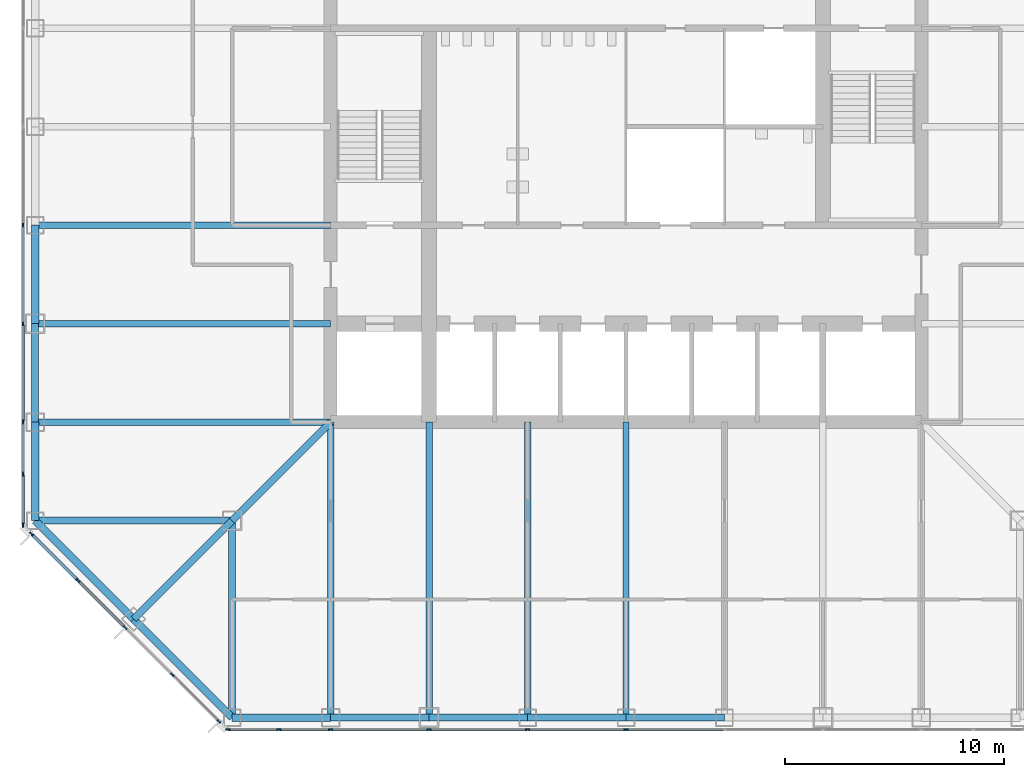
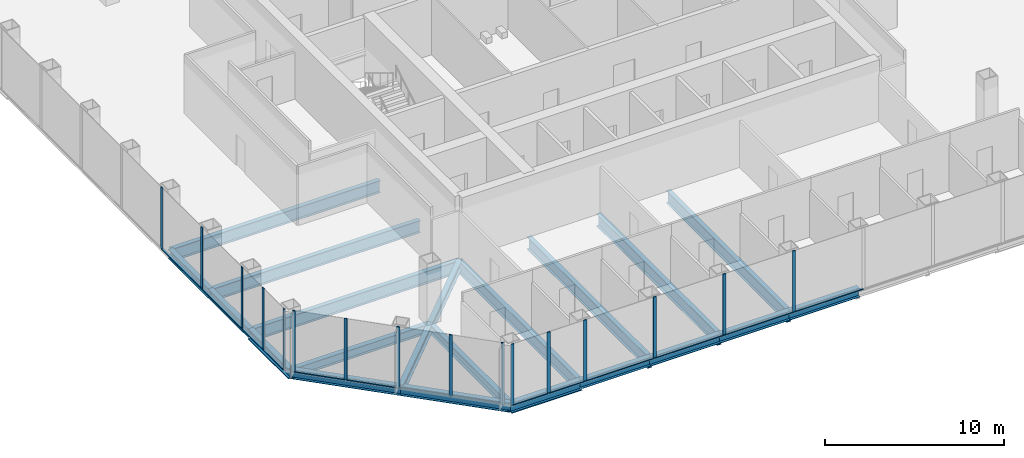
# One storey, part 2 of 13: 28 members, 21 beams, 3 elements without a shape of their own.
"""IFC4 building model written with IfcOpenShell, lengths in metres."""

from ifc_helpers import new_model, si_unit, direction, frame, origin, origin_2d, place, context, subcontext, project, spatial, rectangle, i_section, extrude, material, material_profile, profile_set, type_object, element, aggregate, save


model = new_model("IFC4")

# Units and contexts
model_context = context("Model", 3, precision=1e-05, world=origin(), true_north=direction((0.0, 1.0)))
body_context = subcontext(model_context, "Body", "Model", "MODEL_VIEW")
ifc_project = project(units=[si_unit("LENGTHUNIT", "METRE"), si_unit("AREAUNIT", "SQUARE_METRE"), si_unit("VOLUMEUNIT", "CUBIC_METRE"), si_unit("PLANEANGLEUNIT", "RADIAN"), si_unit("MASSUNIT", "GRAM", prefix="KILO")], contexts=[model_context])

# Site, building, storey
site_placement = place(None, origin())
site = spatial("IfcSite", under=ifc_project, at=site_placement, CompositionType="ELEMENT")
building_placement = place(site_placement, origin())
building = spatial("IfcBuilding", under=site, at=building_placement, Name="Corais Broadcast Tower", CompositionType="ELEMENT")
storey_placement = place(building_placement, frame((0.0, 0.0, 79.39990234375)))
storey = spatial("IfcBuildingStorey", under=building, at=storey_placement, Name="L17", CompositionType="ELEMENT", Elevation=79.39990234375)

# Beams
ifc_material_1 = material(Name="Steel ASTM A572 Grade 50", Category="steel")
ifc_material_profile_1 = material_profile(ifc_material_1, i_section(OverallWidth=0.323974609375, OverallDepth=0.611083984375, WebThickness=0.0126953125, FlangeThickness=0.01904296875, at=origin_2d()), Name="W610x155")
ifc_profile_set_1 = profile_set([ifc_material_profile_1], Name="Steel ASTM A572 Grade 50")
beam_type_1 = type_object("IfcBeamType", Name="Chamfer tie W610x155", PredefinedType="BEAM", material=ifc_profile_set_1)
beam_1_placement = place(storey_placement, frame((4.5, 4.5, -0.46533203125), z_axis=(0.707106781187, 0.707106781187, 0.0), x_axis=(-0.707106781187, 0.707106781187, 0.0)))
element("IfcBeam", 1, at=beam_1_placement, inside=storey, type_object=beam_type_1, Name="B5 B/4 to C/5", PredefinedType="BEAM", context=body_context, shape_type="SweptSolid", body=[
    extrude(i_section(OverallWidth=0.323974609375, OverallDepth=0.611083984375, WebThickness=0.0126953125, FlangeThickness=0.01904296875, at=origin_2d()), origin(), (0.0, 0.0, 1.0), 6.364013671875),
])
ifc_material_2 = material(Name="Steel ASTM A572 Grade 50", Category="steel")
ifc_material_profile_2 = material_profile(ifc_material_2, i_section(OverallWidth=0.323974609375, OverallDepth=0.611083984375, WebThickness=0.0126953125, FlangeThickness=0.01904296875, at=origin_2d()), Name="W610x155")
ifc_profile_set_2 = profile_set([ifc_material_profile_2], Name="Steel ASTM A572 Grade 50")
beam_type_2 = type_object("IfcBeamType", Name="Corner diagonal W610x155", PredefinedType="BEAM", material=ifc_profile_set_2)
beam_2_placement = place(storey_placement, frame((9.0, 9.0, -0.46533203125), z_axis=(0.707106781187, 0.707106781187, 0.0), x_axis=(-0.707106781187, 0.707106781187, 0.0)))
element("IfcBeam", 2, at=beam_2_placement, inside=storey, type_object=beam_type_2, Name="B6 C/5 to D/6", PredefinedType="BEAM", context=body_context, shape_type="SweptSolid", body=[
    extrude(i_section(OverallWidth=0.323974609375, OverallDepth=0.611083984375, WebThickness=0.0126953125, FlangeThickness=0.01904296875, at=origin_2d()), origin(), (0.0, 0.0, 1.0), 6.364013671875),
])
ifc_material_3 = material(Name="Steel ASTM A572 Grade 50", Category="steel")
ifc_material_profile_3 = material_profile(ifc_material_3, i_section(OverallWidth=0.323974609375, OverallDepth=0.611083984375, WebThickness=0.0126953125, FlangeThickness=0.01904296875, at=origin_2d()), Name="W610x155")
ifc_profile_set_3 = profile_set([ifc_material_profile_3], Name="Steel ASTM A572 Grade 50")
beam_type_3 = type_object("IfcBeamType", Name="Corner girder W610x155", PredefinedType="BEAM", material=ifc_profile_set_3)
for number, where, z_axis, x_axis, name in (
    (3, (0.0, 9.0, -0.46533203125), (1.0, 0.0, 0.0), (0.0, 1.0, 0.0), "B4 C/3 to C/5"),
    (4, (9.0, 0.0, -0.46533203125), (0.0, 1.0, 0.0), (-1.0, 0.0, 0.0), "B4 A/5 to C/5"),
):
    element("IfcBeam", number, at=place(storey_placement, frame(where, z_axis=z_axis, x_axis=x_axis)), inside=storey, type_object=beam_type_3, Name=name, PredefinedType="BEAM", context=body_context, shape_type="SweptSolid", body=[
        extrude(i_section(OverallWidth=0.323974609375, OverallDepth=0.611083984375, WebThickness=0.0126953125, FlangeThickness=0.01904296875, at=origin_2d()), origin(), (0.0, 0.0, 1.0), 9.0),
    ])
ifc_material_4 = material(Name="Steel ASTM A913 Grade 65", Category="steel")
ifc_material_profile_4 = material_profile(ifc_material_4, i_section(OverallWidth=0.347900390625, OverallDepth=0.7109375, WebThickness=0.03857421875, FlangeThickness=0.069091796875, at=origin_2d()), Name="W610x551")
ifc_profile_set_4 = profile_set([ifc_material_profile_4], Name="Steel ASTM A913 Grade 65")
beam_type_4 = type_object("IfcBeamType", Name="Corner spandrel W610x551", PredefinedType="BEAM", material=ifc_profile_set_4)
for number, where, z_axis, x_axis, name in (
    (5, (0.0, 13.5, -0.515380859375), (0.0, -1.0, 0.0), (1.0, 0.0, 0.0), "SB11 D/3 to C/3"),
    (6, (9.0, 0.0, -0.515380859375), (1.0, 0.0, 0.0), (0.0, 1.0, 0.0), "SB11 A/5 to A/6"),
):
    element("IfcBeam", number, at=place(storey_placement, frame(where, z_axis=z_axis, x_axis=x_axis)), inside=storey, type_object=beam_type_4, Name=name, PredefinedType="BEAM", context=body_context, shape_type="SweptSolid", body=[
        extrude(i_section(OverallWidth=0.347900390625, OverallDepth=0.7109375, WebThickness=0.03857421875, FlangeThickness=0.069091796875, at=origin_2d()), origin(), (0.0, 0.0, 1.0), 4.5),
    ])
ifc_material_5 = material(Name="Steel ASTM A572 Grade 50", Category="steel")
ifc_material_profile_5 = material_profile(ifc_material_5, i_section(OverallWidth=0.2939453125, OverallDepth=0.85107421875, WebThickness=0.01611328125, FlangeThickness=0.02685546875, at=origin_2d()), Name="W840x226")
ifc_profile_set_5 = profile_set([ifc_material_profile_5], Name="Steel ASTM A572 Grade 50")
beam_type_5 = type_object("IfcBeamType", Name="Floor beam W840x226", PredefinedType="BEAM", material=ifc_profile_set_5)
for number, where, z_axis, x_axis, name in (
    (7, (0.0, 13.5, -0.58544921875), (1.0, 0.0, 0.0), (0.0, 1.0, 0.0), "B1 D/3 to D/6"),
    (8, (0.0, 18.0, -0.58544921875), (1.0, 0.0, 0.0), (0.0, 1.0, 0.0), "B1 E/3 to E/6"),
    (9, (0.0, 22.5, -0.58544921875), (1.0, 0.0, 0.0), (0.0, 1.0, 0.0), "B1 F/3 to F/6"),
    (10, (13.5, 0.0, -0.58544921875), (0.0, 1.0, 0.0), (-1.0, 0.0, 0.0), "B1 A/6 to D/6"),
    (11, (18.0, 0.0, -0.58544921875), (0.0, 1.0, 0.0), (-1.0, 0.0, 0.0), "B1 A/7 to D/7"),
    (12, (22.5, 0.0, -0.58544921875), (0.0, 1.0, 0.0), (-1.0, 0.0, 0.0), "B1 A/8 to D/8"),
    (13, (27.0, 0.0, -0.58544921875), (0.0, 1.0, 0.0), (-1.0, 0.0, 0.0), "B1 A/9 to D/9"),
):
    element("IfcBeam", number, at=place(storey_placement, frame(where, z_axis=z_axis, x_axis=x_axis)), inside=storey, type_object=beam_type_5, Name=name, PredefinedType="BEAM", context=body_context, shape_type="SweptSolid", body=[
        extrude(i_section(OverallWidth=0.2939453125, OverallDepth=0.85107421875, WebThickness=0.01611328125, FlangeThickness=0.02685546875, at=origin_2d()), origin(), (0.0, 0.0, 1.0), 13.5),
    ])

# Curtain wall, members
ifc_material_6 = material(Name="Aluminium and glass", Category="aluminium")
curtain_wall_type = type_object("IfcCurtainWallType", Name="Unitised fritted curtain wall CW1", PredefinedType="NOTDEFINED", material=ifc_material_6)
curtain_wall_1_placement = place(storey_placement, origin())
curtain_wall_1 = element("IfcCurtainWall", 14, at=curtain_wall_1_placement, inside=storey, type_object=curtain_wall_type, Name="CW1 curtain wall L17 1", PredefinedType="NOTDEFINED")
ifc_material_7 = material(Name="Aluminium 6063-T6", Category="aluminium")
ifc_material_profile_6 = material_profile(ifc_material_7, rectangle(XDim=0.06494140625, YDim=0.199951171875, at=origin_2d()), Name="Mullion CW1 65x200")
ifc_profile_set_6 = profile_set([ifc_material_profile_6], Name="Aluminium 6063-T6")
member_type_1 = type_object("IfcMemberType", Name="Mullion CW1 65x200", PredefinedType="MULLION", material=ifc_profile_set_6)
member_1_placement = place(storey_placement, frame((8.3955078125, -0.17333984375, 0.0), z_axis=(0.0, 0.0, 1.0), x_axis=(-0.707106781187, -0.707106781187, 0.0)))
member_1 = element("IfcMember", 15, at=member_1_placement, type_object=member_type_1, Name="CW1 mullion 1", PredefinedType="MULLION", context=body_context, shape_type="SweptSolid", body=[
    extrude(rectangle(XDim=0.06494140625, YDim=0.199951171875, at=origin_2d()), origin(), (0.0, 0.0, 1.0), 4.2001953125),
])
member_2_placement = place(storey_placement, frame((6.264892578125, 1.957275390625, 0.0), z_axis=(0.0, 0.0, 1.0), x_axis=(-0.707106781187, -0.707106781187, 0.0)))
member_2 = element("IfcMember", 16, at=member_2_placement, type_object=member_type_1, Name="CW1 mullion 2", PredefinedType="MULLION", context=body_context, shape_type="SweptSolid", body=[
    extrude(rectangle(XDim=0.06494140625, YDim=0.199951171875, at=origin_2d()), origin(), (0.0, 0.0, 1.0), 4.2001953125),
])
member_3_placement = place(storey_placement, frame((4.111083984375, 4.111083984375, 0.0), z_axis=(0.0, 0.0, 1.0), x_axis=(-0.707106781187, -0.707106781187, 0.0)))
member_3 = element("IfcMember", 17, at=member_3_placement, type_object=member_type_1, Name="CW1 mullion 3", PredefinedType="MULLION", context=body_context, shape_type="SweptSolid", body=[
    extrude(rectangle(XDim=0.06494140625, YDim=0.199951171875, at=origin_2d()), origin(), (0.0, 0.0, 1.0), 4.2001953125),
])
member_4_placement = place(storey_placement, frame((1.957275390625, 6.264892578125, 0.0), z_axis=(0.0, 0.0, 1.0), x_axis=(-0.707106781187, -0.707106781187, 0.0)))
member_4 = element("IfcMember", 18, at=member_4_placement, type_object=member_type_1, Name="CW1 mullion 4", PredefinedType="MULLION", context=body_context, shape_type="SweptSolid", body=[
    extrude(rectangle(XDim=0.06494140625, YDim=0.199951171875, at=origin_2d()), origin(), (0.0, 0.0, 1.0), 4.2001953125),
])
member_5_placement = place(storey_placement, frame((-0.17333984375, 8.3955078125, 0.0), z_axis=(0.0, 0.0, 1.0), x_axis=(-0.707106781187, -0.707106781187, 0.0)))
member_5 = element("IfcMember", 19, at=member_5_placement, type_object=member_type_1, Name="CW1 mullion 5", PredefinedType="MULLION", context=body_context, shape_type="SweptSolid", body=[
    extrude(rectangle(XDim=0.06494140625, YDim=0.199951171875, at=origin_2d()), origin(), (0.0, 0.0, 1.0), 4.2001953125),
])

curtain_wall_2_placement = place(storey_placement, origin())
curtain_wall_2 = element("IfcCurtainWall", 20, at=curtain_wall_2_placement, inside=storey, type_object=curtain_wall_type, Name="CW1 curtain wall L17 2", PredefinedType="NOTDEFINED")
member_6_placement = place(storey_placement, frame((-0.550048828125, 8.8046875, 0.0), z_axis=(0.0, 0.0, 1.0), x_axis=(-1.0, 0.0, 0.0)))
member_6 = element("IfcMember", 21, at=member_6_placement, type_object=member_type_1, Name="CW1 mullion 1", PredefinedType="MULLION", context=body_context, shape_type="SweptSolid", body=[
    extrude(rectangle(XDim=0.06494140625, YDim=0.199951171875, at=origin_2d()), origin(), (0.0, 0.0, 1.0), 4.2001953125),
])
member_7_placement = place(storey_placement, frame((-0.550048828125, 11.135986328125, 0.0), z_axis=(0.0, 0.0, 1.0), x_axis=(-1.0, 0.0, 0.0)))
member_7 = element("IfcMember", 22, at=member_7_placement, type_object=member_type_1, Name="CW1 mullion 2", PredefinedType="MULLION", context=body_context, shape_type="SweptSolid", body=[
    extrude(rectangle(XDim=0.06494140625, YDim=0.199951171875, at=origin_2d()), origin(), (0.0, 0.0, 1.0), 4.2001953125),
])
member_8_placement = place(storey_placement, frame((-0.550048828125, 13.5, 0.0), z_axis=(0.0, 0.0, 1.0), x_axis=(-1.0, 0.0, 0.0)))
member_8 = element("IfcMember", 23, at=member_8_placement, type_object=member_type_1, Name="CW1 mullion 3", PredefinedType="MULLION", context=body_context, shape_type="SweptSolid", body=[
    extrude(rectangle(XDim=0.06494140625, YDim=0.199951171875, at=origin_2d()), origin(), (0.0, 0.0, 1.0), 4.2001953125),
])
member_9_placement = place(storey_placement, frame((-0.550048828125, 18.0, 0.0), z_axis=(0.0, 0.0, 1.0), x_axis=(-1.0, 0.0, 0.0)))
member_9 = element("IfcMember", 24, at=member_9_placement, type_object=member_type_1, Name="CW1 mullion 4", PredefinedType="MULLION", context=body_context, shape_type="SweptSolid", body=[
    extrude(rectangle(XDim=0.06494140625, YDim=0.199951171875, at=origin_2d()), origin(), (0.0, 0.0, 1.0), 4.2001953125),
])
member_10_placement = place(storey_placement, frame((-0.550048828125, 22.5, 0.0), z_axis=(0.0, 0.0, 1.0), x_axis=(-1.0, 0.0, 0.0)))
member_10 = element("IfcMember", 25, at=member_10_placement, type_object=member_type_1, Name="CW1 mullion 5", PredefinedType="MULLION", context=body_context, shape_type="SweptSolid", body=[
    extrude(rectangle(XDim=0.06494140625, YDim=0.199951171875, at=origin_2d()), origin(), (0.0, 0.0, 1.0), 4.2001953125),
])

curtain_wall_3_placement = place(storey_placement, origin())
curtain_wall_3 = element("IfcCurtainWall", 26, at=curtain_wall_3_placement, inside=storey, type_object=curtain_wall_type, Name="CW1 curtain wall L17 8", PredefinedType="NOTDEFINED")
member_11_placement = place(storey_placement, frame((27.0, -0.550048828125, 0.0), z_axis=(0.0, 0.0, 1.0), x_axis=(0.0, -1.0, 0.0)))
member_11 = element("IfcMember", 27, at=member_11_placement, type_object=member_type_1, Name="CW1 mullion 6", PredefinedType="MULLION", context=body_context, shape_type="SweptSolid", body=[
    extrude(rectangle(XDim=0.06494140625, YDim=0.199951171875, at=origin_2d()), origin(), (0.0, 0.0, 1.0), 4.2001953125),
])
member_12_placement = place(storey_placement, frame((22.5, -0.550048828125, 0.0), z_axis=(0.0, 0.0, 1.0), x_axis=(0.0, -1.0, 0.0)))
member_12 = element("IfcMember", 28, at=member_12_placement, type_object=member_type_1, Name="CW1 mullion 7", PredefinedType="MULLION", context=body_context, shape_type="SweptSolid", body=[
    extrude(rectangle(XDim=0.06494140625, YDim=0.199951171875, at=origin_2d()), origin(), (0.0, 0.0, 1.0), 4.2001953125),
])
member_13_placement = place(storey_placement, frame((18.0, -0.550048828125, 0.0), z_axis=(0.0, 0.0, 1.0), x_axis=(0.0, -1.0, 0.0)))
member_13 = element("IfcMember", 29, at=member_13_placement, type_object=member_type_1, Name="CW1 mullion 8", PredefinedType="MULLION", context=body_context, shape_type="SweptSolid", body=[
    extrude(rectangle(XDim=0.06494140625, YDim=0.199951171875, at=origin_2d()), origin(), (0.0, 0.0, 1.0), 4.2001953125),
])
member_14_placement = place(storey_placement, frame((13.5, -0.550048828125, 0.0), z_axis=(0.0, 0.0, 1.0), x_axis=(0.0, -1.0, 0.0)))
member_14 = element("IfcMember", 30, at=member_14_placement, type_object=member_type_1, Name="CW1 mullion 9", PredefinedType="MULLION", context=body_context, shape_type="SweptSolid", body=[
    extrude(rectangle(XDim=0.06494140625, YDim=0.199951171875, at=origin_2d()), origin(), (0.0, 0.0, 1.0), 4.2001953125),
])
member_15_placement = place(storey_placement, frame((11.135986328125, -0.550048828125, 0.0), z_axis=(0.0, 0.0, 1.0), x_axis=(0.0, -1.0, 0.0)))
member_15 = element("IfcMember", 31, at=member_15_placement, type_object=member_type_1, Name="CW1 mullion 10", PredefinedType="MULLION", context=body_context, shape_type="SweptSolid", body=[
    extrude(rectangle(XDim=0.06494140625, YDim=0.199951171875, at=origin_2d()), origin(), (0.0, 0.0, 1.0), 4.2001953125),
])
member_16_placement = place(storey_placement, frame((8.8046875, -0.550048828125, 0.0), z_axis=(0.0, 0.0, 1.0), x_axis=(0.0, -1.0, 0.0)))
member_16 = element("IfcMember", 32, at=member_16_placement, type_object=member_type_1, Name="CW1 mullion 11", PredefinedType="MULLION", context=body_context, shape_type="SweptSolid", body=[
    extrude(rectangle(XDim=0.06494140625, YDim=0.199951171875, at=origin_2d()), origin(), (0.0, 0.0, 1.0), 4.2001953125),
])

# Beams
ifc_material_8 = material(Name="Steel ASTM A572 Grade 50", Category="steel")
ifc_material_profile_7 = material_profile(ifc_material_8, i_section(OverallWidth=0.323974609375, OverallDepth=0.611083984375, WebThickness=0.0126953125, FlangeThickness=0.01904296875, at=origin_2d()), Name="W610x155")
ifc_profile_set_7 = profile_set([ifc_material_profile_7], Name="Steel ASTM A572 Grade 50")
beam_type_6 = type_object("IfcBeamType", Name="Pinned spandrel W610x155", PredefinedType="BEAM", material=ifc_profile_set_7)
for number, where, z_axis, x_axis, name in (
    (33, (0.0, 18.0, -0.46533203125), (0.0, -1.0, 0.0), (1.0, 0.0, 0.0), "SB6 E/3 to D/3"),
    (34, (13.5, 0.0, -0.46533203125), (1.0, 0.0, 0.0), (0.0, 1.0, 0.0), "SB6 A/6 to A/7"),
):
    element("IfcBeam", number, at=place(storey_placement, frame(where, z_axis=z_axis, x_axis=x_axis)), inside=storey, type_object=beam_type_6, Name=name, PredefinedType="BEAM", context=body_context, shape_type="SweptSolid", body=[
        extrude(i_section(OverallWidth=0.323974609375, OverallDepth=0.611083984375, WebThickness=0.0126953125, FlangeThickness=0.01904296875, at=origin_2d()), origin(), (0.0, 0.0, 1.0), 4.5),
    ])
ifc_material_9 = material(Name="Steel ASTM A572 Grade 50", Category="steel")
ifc_material_profile_8 = material_profile(ifc_material_9, i_section(OverallWidth=0.3291015625, OverallDepth=0.635009765625, WebThickness=0.017822265625, FlangeThickness=0.031005859375, at=origin_2d()), Name="W610x241")
ifc_profile_set_8 = profile_set([ifc_material_profile_8], Name="Steel ASTM A572 Grade 50")
beam_type_7 = type_object("IfcBeamType", Name="Spandrel W610x241", PredefinedType="BEAM", material=ifc_profile_set_8)
beam_3_placement = place(storey_placement, frame((0.0, 22.5, -0.477294921875), z_axis=(0.0, -1.0, 0.0), x_axis=(1.0, 0.0, 0.0)))
element("IfcBeam", 35, at=beam_3_placement, inside=storey, type_object=beam_type_7, Name="SB1 F/3 to E/3", PredefinedType="BEAM", context=body_context, shape_type="SweptSolid", body=[
    extrude(i_section(OverallWidth=0.3291015625, OverallDepth=0.635009765625, WebThickness=0.017822265625, FlangeThickness=0.031005859375, at=origin_2d()), origin(), (0.0, 0.0, 1.0), 4.5),
])
beam_4_placement = place(storey_placement, frame((0.0, 9.0, -0.477294921875), z_axis=(0.707106781187, -0.707106781187, 0.0), x_axis=(0.707106781187, 0.707106781187, 0.0)))
element("IfcBeam", 36, at=beam_4_placement, inside=storey, type_object=beam_type_7, Name="SB1 C/3 to B/4", PredefinedType="BEAM", context=body_context, shape_type="SweptSolid", body=[
    extrude(i_section(OverallWidth=0.3291015625, OverallDepth=0.635009765625, WebThickness=0.017822265625, FlangeThickness=0.031005859375, at=origin_2d()), origin(), (0.0, 0.0, 1.0), 6.364013671875),
])
for number, where, z_axis, x_axis, name in (
    (37, (18.0, 0.0, -0.477294921875), (1.0, 0.0, 0.0), (0.0, 1.0, 0.0), "SB1 A/7 to A/8"),
    (38, (22.5, 0.0, -0.477294921875), (1.0, 0.0, 0.0), (0.0, 1.0, 0.0), "SB1 A/8 to A/9"),
    (39, (27.0, 0.0, -0.477294921875), (1.0, 0.0, 0.0), (0.0, 1.0, 0.0), "SB1 A/9 to A/10"),
):
    element("IfcBeam", number, at=place(storey_placement, frame(where, z_axis=z_axis, x_axis=x_axis)), inside=storey, type_object=beam_type_7, Name=name, PredefinedType="BEAM", context=body_context, shape_type="SweptSolid", body=[
        extrude(i_section(OverallWidth=0.3291015625, OverallDepth=0.635009765625, WebThickness=0.017822265625, FlangeThickness=0.031005859375, at=origin_2d()), origin(), (0.0, 0.0, 1.0), 4.5),
    ])
beam_5_placement = place(storey_placement, frame((4.5, 4.5, -0.477294921875), z_axis=(0.707106781187, -0.707106781187, 0.0), x_axis=(0.707106781187, 0.707106781187, 0.0)))
element("IfcBeam", 40, at=beam_5_placement, inside=storey, type_object=beam_type_7, Name="SB1 B/4 to A/5", PredefinedType="BEAM", context=body_context, shape_type="SweptSolid", body=[
    extrude(i_section(OverallWidth=0.3291015625, OverallDepth=0.635009765625, WebThickness=0.017822265625, FlangeThickness=0.031005859375, at=origin_2d()), origin(), (0.0, 0.0, 1.0), 6.364013671875),
])

# Member
ifc_material_10 = material(Name="Aluminium 6063-T6", Category="aluminium")
ifc_material_profile_9 = material_profile(ifc_material_10, rectangle(XDim=0.139892578125, YDim=0.06494140625, at=origin_2d()), Name="Transom CW1 65x140")
ifc_profile_set_9 = profile_set([ifc_material_profile_9], Name="Aluminium 6063-T6")
member_type_2 = type_object("IfcMemberType", Name="Transom CW1 65x140", PredefinedType="USERDEFINED", material=ifc_profile_set_9)
member_17_placement = place(storey_placement, frame((4.088134765625, 4.134033203125, 0.03271484375), z_axis=(-0.707106781187, 0.707106781187, 0.0), x_axis=(-0.707106781187, -0.707106781187, 0.0)))
member_17 = element("IfcMember", 41, at=member_17_placement, type_object=member_type_2, Name="CW1 transom 3.1", ObjectType="TRANSOM", PredefinedType="USERDEFINED", context=body_context, shape_type="SweptSolid", body=[
    extrude(rectangle(XDim=0.139892578125, YDim=0.06494140625, at=origin_2d()), origin(), (0.0, 0.0, 1.0), 2.98095703125),
])

member_18_placement = place(storey_placement, frame((1.934326171875, 6.287841796875, 0.03271484375), z_axis=(-0.707106781187, 0.707106781187, 0.0), x_axis=(-0.707106781187, -0.707106781187, 0.0)))
member_18 = element("IfcMember", 42, at=member_18_placement, type_object=member_type_2, Name="CW1 transom 4.1", ObjectType="TRANSOM", PredefinedType="USERDEFINED", context=body_context, shape_type="SweptSolid", body=[
    extrude(rectangle(XDim=0.139892578125, YDim=0.06494140625, at=origin_2d()), origin(), (0.0, 0.0, 1.0), 2.9482421875),
])

aggregate(curtain_wall_1, [member_1, member_2, member_3, member_4, member_5, member_17, member_18])

member_19_placement = place(storey_placement, frame((-0.550048828125, 8.837158203125, 0.03271484375), z_axis=(0.0, 1.0, 0.0), x_axis=(-1.0, 0.0, 0.0)))
member_19 = element("IfcMember", 43, at=member_19_placement, type_object=member_type_2, Name="CW1 transom 1.1", ObjectType="TRANSOM", PredefinedType="USERDEFINED", context=body_context, shape_type="SweptSolid", body=[
    extrude(rectangle(XDim=0.139892578125, YDim=0.06494140625, at=origin_2d()), origin(), (0.0, 0.0, 1.0), 2.266357421875),
])

member_20_placement = place(storey_placement, frame((-0.550048828125, 11.168701171875, 0.03271484375), z_axis=(0.0, 1.0, 0.0), x_axis=(-1.0, 0.0, 0.0)))
member_20 = element("IfcMember", 44, at=member_20_placement, type_object=member_type_2, Name="CW1 transom 2.1", ObjectType="TRANSOM", PredefinedType="USERDEFINED", context=body_context, shape_type="SweptSolid", body=[
    extrude(rectangle(XDim=0.139892578125, YDim=0.06494140625, at=origin_2d()), origin(), (0.0, 0.0, 1.0), 2.298828125),
])

member_21_placement = place(storey_placement, frame((-0.550048828125, 13.532470703125, 0.03271484375), z_axis=(0.0, 1.0, 0.0), x_axis=(-1.0, 0.0, 0.0)))
member_21 = element("IfcMember", 45, at=member_21_placement, type_object=member_type_2, Name="CW1 transom 3.1", ObjectType="TRANSOM", PredefinedType="USERDEFINED", context=body_context, shape_type="SweptSolid", body=[
    extrude(rectangle(XDim=0.139892578125, YDim=0.06494140625, at=origin_2d()), origin(), (0.0, 0.0, 1.0), 4.43505859375),
])

member_22_placement = place(storey_placement, frame((-0.550048828125, 18.032470703125, 0.03271484375), z_axis=(0.0, 1.0, 0.0), x_axis=(-1.0, 0.0, 0.0)))
member_22 = element("IfcMember", 46, at=member_22_placement, type_object=member_type_2, Name="CW1 transom 4.1", ObjectType="TRANSOM", PredefinedType="USERDEFINED", context=body_context, shape_type="SweptSolid", body=[
    extrude(rectangle(XDim=0.139892578125, YDim=0.06494140625, at=origin_2d()), origin(), (0.0, 0.0, 1.0), 4.43505859375),
])

aggregate(curtain_wall_2, [member_6, member_7, member_8, member_9, member_10, member_19, member_20, member_21, member_22])

member_23_placement = place(storey_placement, frame((31.467529296875, -0.550048828125, 0.03271484375), z_axis=(-1.0, 0.0, 0.0), x_axis=(0.0, -1.0, 0.0)))
member_23 = element("IfcMember", 47, at=member_23_placement, type_object=member_type_2, Name="CW1 transom 5.1", ObjectType="TRANSOM", PredefinedType="USERDEFINED", context=body_context, shape_type="SweptSolid", body=[
    extrude(rectangle(XDim=0.139892578125, YDim=0.06494140625, at=origin_2d()), origin(), (0.0, 0.0, 1.0), 4.43505859375),
])

member_24_placement = place(storey_placement, frame((26.967529296875, -0.550048828125, 0.03271484375), z_axis=(-1.0, 0.0, 0.0), x_axis=(0.0, -1.0, 0.0)))
member_24 = element("IfcMember", 48, at=member_24_placement, type_object=member_type_2, Name="CW1 transom 6.1", ObjectType="TRANSOM", PredefinedType="USERDEFINED", context=body_context, shape_type="SweptSolid", body=[
    extrude(rectangle(XDim=0.139892578125, YDim=0.06494140625, at=origin_2d()), origin(), (0.0, 0.0, 1.0), 4.43505859375),
])

member_25_placement = place(storey_placement, frame((22.467529296875, -0.550048828125, 0.03271484375), z_axis=(-1.0, 0.0, 0.0), x_axis=(0.0, -1.0, 0.0)))
member_25 = element("IfcMember", 49, at=member_25_placement, type_object=member_type_2, Name="CW1 transom 7.1", ObjectType="TRANSOM", PredefinedType="USERDEFINED", context=body_context, shape_type="SweptSolid", body=[
    extrude(rectangle(XDim=0.139892578125, YDim=0.06494140625, at=origin_2d()), origin(), (0.0, 0.0, 1.0), 4.43505859375),
])

member_26_placement = place(storey_placement, frame((17.967529296875, -0.550048828125, 0.03271484375), z_axis=(-1.0, 0.0, 0.0), x_axis=(0.0, -1.0, 0.0)))
member_26 = element("IfcMember", 50, at=member_26_placement, type_object=member_type_2, Name="CW1 transom 8.1", ObjectType="TRANSOM", PredefinedType="USERDEFINED", context=body_context, shape_type="SweptSolid", body=[
    extrude(rectangle(XDim=0.139892578125, YDim=0.06494140625, at=origin_2d()), origin(), (0.0, 0.0, 1.0), 4.43505859375),
])

member_27_placement = place(storey_placement, frame((13.467529296875, -0.550048828125, 0.03271484375), z_axis=(-1.0, 0.0, 0.0), x_axis=(0.0, -1.0, 0.0)))
member_27 = element("IfcMember", 51, at=member_27_placement, type_object=member_type_2, Name="CW1 transom 9.1", ObjectType="TRANSOM", PredefinedType="USERDEFINED", context=body_context, shape_type="SweptSolid", body=[
    extrude(rectangle(XDim=0.139892578125, YDim=0.06494140625, at=origin_2d()), origin(), (0.0, 0.0, 1.0), 2.298828125),
])

member_28_placement = place(storey_placement, frame((11.103515625, -0.550048828125, 0.03271484375), z_axis=(-1.0, 0.0, 0.0), x_axis=(0.0, -1.0, 0.0)))
member_28 = element("IfcMember", 52, at=member_28_placement, type_object=member_type_2, Name="CW1 transom 10.1", ObjectType="TRANSOM", PredefinedType="USERDEFINED", context=body_context, shape_type="SweptSolid", body=[
    extrude(rectangle(XDim=0.139892578125, YDim=0.06494140625, at=origin_2d()), origin(), (0.0, 0.0, 1.0), 2.266357421875),
])

aggregate(curtain_wall_3, [member_11, member_12, member_13, member_14, member_15, member_16, member_23, member_24, member_25, member_26, member_27, member_28])

save(model, "model.ifc")
